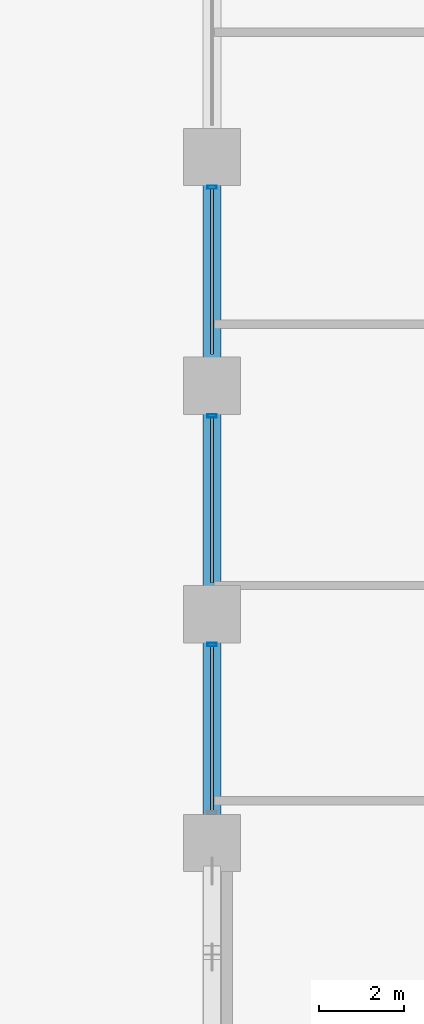
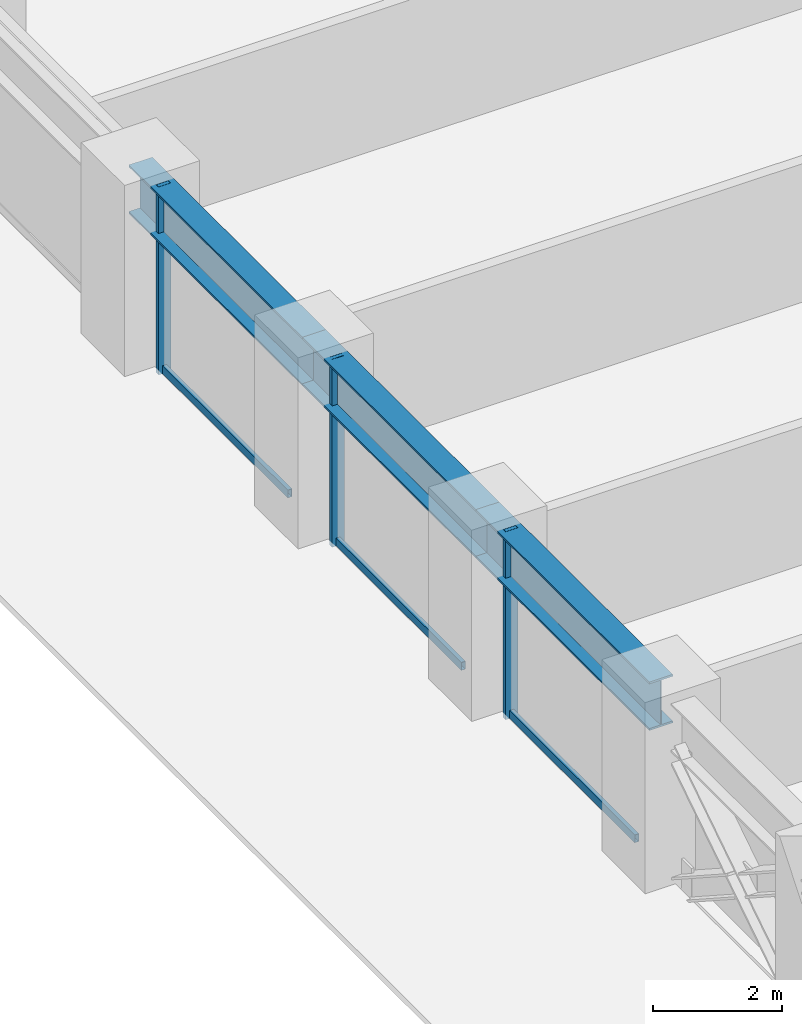
# One storey, part 6 of 27: 6 members, 3 beams, 1 element without a shape of its own.
"""IFC4 building model written with IfcOpenShell, lengths in metres."""

from ifc_helpers import new_model, si_unit, direction, frame, origin, origin_2d, place, context, subcontext, project, spatial, hollow_rectangle, i_section, extrude, material, layer, layer_set, material_profile, profile_set, type_object, element, aggregate, save


model = new_model("IFC4")

# Units and contexts
model_context = context("Model", 3, precision=1e-05, world=origin(), true_north=direction((0.0, 1.0)))
body_context = subcontext(model_context, "Body", "Model", "MODEL_VIEW")
ifc_project = project(units=[si_unit("LENGTHUNIT", "METRE"), si_unit("AREAUNIT", "SQUARE_METRE"), si_unit("VOLUMEUNIT", "CUBIC_METRE"), si_unit("PLANEANGLEUNIT", "RADIAN"), si_unit("MASSUNIT", "GRAM", prefix="KILO")], contexts=[model_context])

# Site, building, storey
site_placement = place(None, origin())
site = spatial("IfcSite", under=ifc_project, at=site_placement, CompositionType="ELEMENT")
building_placement = place(site_placement, origin())
building = spatial("IfcBuilding", under=site, at=building_placement, Name="Surkhivell Harbour Commons", CompositionType="ELEMENT")
storey_placement = place(building_placement, frame((0.0, 0.0, 22.5)))
storey = spatial("IfcBuildingStorey", under=building, at=storey_placement, Name="L05", CompositionType="ELEMENT", Elevation=22.5)

# Beams
ifc_material_1 = material(Name="Steel S460", Category="steel")
ifc_material_profile_1 = material_profile(ifc_material_1, i_section(OverallWidth=0.419921875, OverallDepth=0.9208984375, WebThickness=0.021484375, FlangeThickness=0.03662109375, at=origin_2d()), Name="UB914x419x388")
ifc_profile_set_1 = profile_set([ifc_material_profile_1], Name="Steel S460")
beam_type = type_object("IfcBeamType", Name="BM-SPN-914A", PredefinedType="SPANDREL", material=ifc_profile_set_1)
beam_placement = place(storey_placement, frame((-32.39990234375, -10.800048828125, 3.109619140625), z_axis=(0.0, 1.0, 0.0), x_axis=(-1.0, 0.0, 0.0)))
element("IfcBeam", 1, at=beam_placement, inside=storey, type_object=beam_type, Name="L05 Tube Spandrel (-32.4,-10.8)", PredefinedType="SPANDREL", context=body_context, shape_type="SweptSolid", body=[
    extrude(i_section(OverallWidth=0.419921875, OverallDepth=0.9208984375, WebThickness=0.021484375, FlangeThickness=0.03662109375, at=origin_2d()), origin(), (0.0, 0.0, 1.0), 5.400146484375),
])
for number, where, z_axis, x_axis, name in (
    (2, (-32.39990234375, -5.39990234375, 3.109619140625), (0.0, 1.0, 0.0), (-1.0, 0.0, 0.0), "L05 Tube Spandrel (-32.4,-5.4)"),
    (3, (-32.39990234375, 0.0, 3.109619140625), (0.0, 1.0, 0.0), (-1.0, 0.0, 0.0), "L05 Tube Spandrel (-32.4,0.0)"),
):
    element("IfcBeam", number, at=place(storey_placement, frame(where, z_axis=z_axis, x_axis=x_axis)), inside=storey, type_object=beam_type, Name=name, PredefinedType="SPANDREL", context=body_context, shape_type="SweptSolid", body=[
        extrude(i_section(OverallWidth=0.419921875, OverallDepth=0.9208984375, WebThickness=0.021484375, FlangeThickness=0.03662109375, at=origin_2d()), origin(), (0.0, 0.0, 1.0), 5.39990234375),
    ])

# Curtain wall, members
ifc_material_2 = material(Name="Anodised pale-metal aluminium and insulated glazing", Category="aluminium")
ifc_layer = layer(ifc_material_2, 0.219970703125)
ifc_layer_set = layer_set([ifc_layer], Name="Anodised pale-metal aluminium and insulated glazing")
curtain_wall_type = type_object("IfcCurtainWallType", Name="CW-SYS-Z1", PredefinedType="NOTDEFINED", material=ifc_layer_set)
curtain_wall_placement = place(storey_placement, origin())
curtain_wall = element("IfcCurtainWall", 4, at=curtain_wall_placement, inside=storey, type_object=curtain_wall_type, Name="L05 Curtain Wall CW-L05-E12S1", PredefinedType="NOTDEFINED")
ifc_material_3 = material(Name="Anodised pale-metal aluminium alloy 6063-T6", Category="aluminium")
ifc_material_profile_2 = material_profile(ifc_material_3, hollow_rectangle(XDim=0.074951171875, YDim=0.219970703125, WallThickness=0.00390625, at=origin_2d()), Name="ALU-MULL-75x220")
ifc_profile_set_2 = profile_set([ifc_material_profile_2], Name="Anodised pale-metal aluminium alloy 6063-T6")
member_type_1 = type_object("IfcMemberType", Name="CWM-220", PredefinedType="MULLION", material=ifc_profile_set_2)
member_1_placement = place(storey_placement, frame((-32.39990234375, 4.685546875, 0.0), z_axis=(0.0, 0.0, 1.0), x_axis=(0.0, -1.0, 0.0)))
member_1 = element("IfcMember", 5, at=member_1_placement, type_object=member_type_1, Name="CW-Z1 mullion 4", PredefinedType="MULLION", context=body_context, shape_type="SweptSolid", body=[
    extrude(hollow_rectangle(XDim=0.074951171875, YDim=0.219970703125, WallThickness=0.00390625, at=origin_2d()), origin(), (0.0, 0.0, 1.0), 3.570068359375),
])
member_2_placement = place(storey_placement, frame((-32.39990234375, -0.714599609375, 0.0), z_axis=(0.0, 0.0, 1.0), x_axis=(0.0, -1.0, 0.0)))
member_2 = element("IfcMember", 6, at=member_2_placement, type_object=member_type_1, Name="CW-Z1 mullion 5", PredefinedType="MULLION", context=body_context, shape_type="SweptSolid", body=[
    extrude(hollow_rectangle(XDim=0.074951171875, YDim=0.219970703125, WallThickness=0.00390625, at=origin_2d()), origin(), (0.0, 0.0, 1.0), 3.570068359375),
])
member_3_placement = place(storey_placement, frame((-32.39990234375, -6.114501953125, 0.0), z_axis=(0.0, 0.0, 1.0), x_axis=(0.0, -1.0, 0.0)))
member_3 = element("IfcMember", 7, at=member_3_placement, type_object=member_type_1, Name="CW-Z1 mullion 6", PredefinedType="MULLION", context=body_context, shape_type="SweptSolid", body=[
    extrude(hollow_rectangle(XDim=0.074951171875, YDim=0.219970703125, WallThickness=0.00390625, at=origin_2d()), origin(), (0.0, 0.0, 1.0), 3.570068359375),
])
ifc_material_profile_3 = material_profile(ifc_material_3, hollow_rectangle(XDim=0.074951171875, YDim=0.14990234375, WallThickness=0.00341796875, at=origin_2d()), Name="ALU-TRAN-75x150")
ifc_profile_set_3 = profile_set([ifc_material_profile_3], Name="Anodised pale-metal aluminium alloy 6063-T6")
member_type_2 = type_object("IfcMemberType", Name="CWT-150", PredefinedType="USERDEFINED", material=ifc_profile_set_3)
member_4_placement = place(storey_placement, frame((-32.39990234375, 4.64794921875, 0.074951171875), z_axis=(0.0, -1.0, 0.0), x_axis=(1.0, 0.0, 0.0)))
member_4 = element("IfcMember", 8, at=member_4_placement, type_object=member_type_2, Name="CW-Z1 transom 4.1", ObjectType="TRANSOM", PredefinedType="USERDEFINED", context=body_context, shape_type="SweptSolid", body=[
    extrude(hollow_rectangle(XDim=0.074951171875, YDim=0.14990234375, WallThickness=0.00341796875, at=origin_2d()), origin(), (0.0, 0.0, 1.0), 3.89599609375),
])
member_5_placement = place(storey_placement, frame((-32.39990234375, -0.751953125, 0.074951171875), z_axis=(0.0, -1.0, 0.0), x_axis=(1.0, 0.0, 0.0)))
member_5 = element("IfcMember", 9, at=member_5_placement, type_object=member_type_2, Name="CW-Z1 transom 5.1", ObjectType="TRANSOM", PredefinedType="USERDEFINED", context=body_context, shape_type="SweptSolid", body=[
    extrude(hollow_rectangle(XDim=0.074951171875, YDim=0.14990234375, WallThickness=0.00341796875, at=origin_2d()), origin(), (0.0, 0.0, 1.0), 3.89599609375),
])
member_6_placement = place(storey_placement, frame((-32.39990234375, -6.152099609375, 0.074951171875), z_axis=(0.0, -1.0, 0.0), x_axis=(1.0, 0.0, 0.0)))
member_6 = element("IfcMember", 10, at=member_6_placement, type_object=member_type_2, Name="CW-Z1 transom 6.1", ObjectType="TRANSOM", PredefinedType="USERDEFINED", context=body_context, shape_type="SweptSolid", body=[
    extrude(hollow_rectangle(XDim=0.074951171875, YDim=0.14990234375, WallThickness=0.00341796875, at=origin_2d()), origin(), (0.0, 0.0, 1.0), 3.89599609375),
])
aggregate(curtain_wall, [member_1, member_4, member_2, member_5, member_3, member_6])

save(model, "model.ifc")
